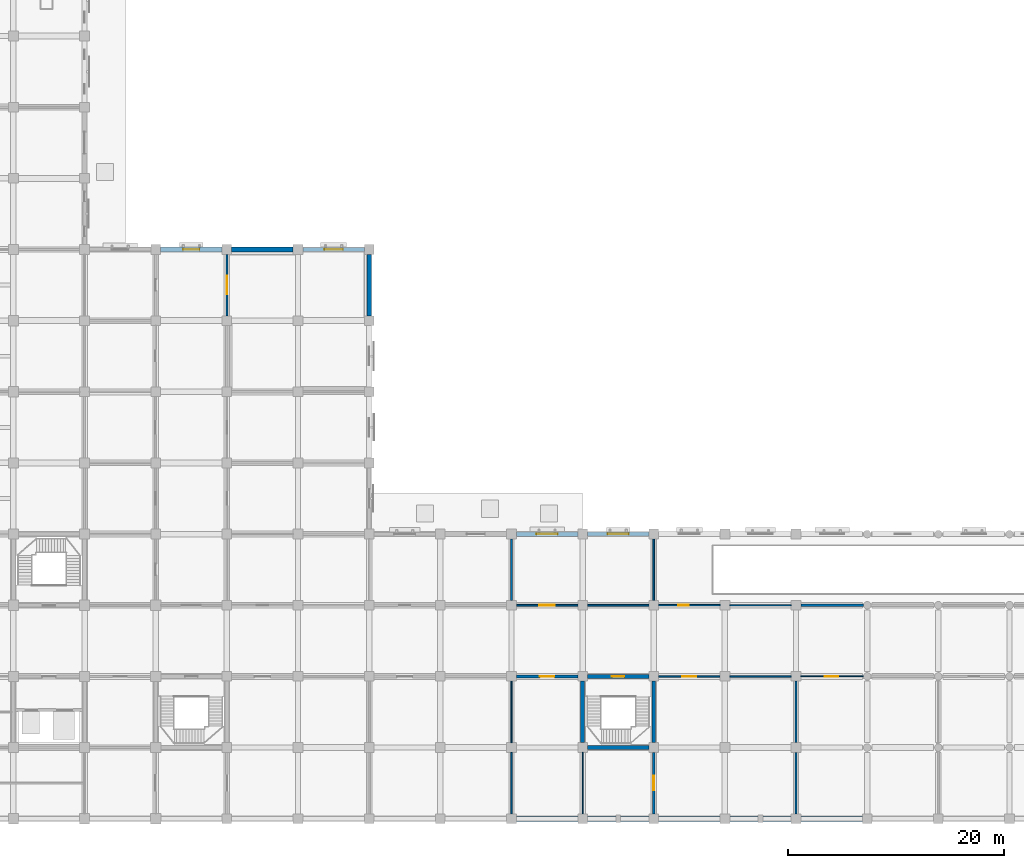
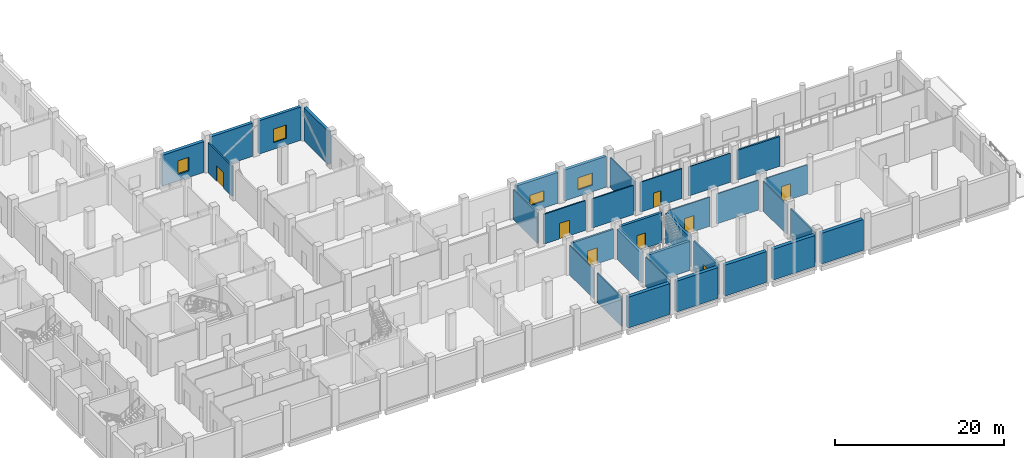
# One storey, part 12 of 28: 33 walls, 8 doors, 4 windows, 12 openings.
"""IFC4 building model written with IfcOpenShell, lengths in metres."""

from ifc_helpers import new_model, si_unit, direction, frame, frame_2d, origin, place, context, subcontext, project, spatial, rectangle, extrude, material, layer, layer_set, type_object, element, fill, save


model = new_model("IFC4")

# Units and contexts
model_context = context("Model", 3, precision=1e-05, world=origin(), true_north=direction((0.0, 1.0)))
body_context = subcontext(model_context, "Body", "Model", "MODEL_VIEW")
ifc_project = project(units=[si_unit("LENGTHUNIT", "METRE"), si_unit("AREAUNIT", "SQUARE_METRE"), si_unit("VOLUMEUNIT", "CUBIC_METRE"), si_unit("PLANEANGLEUNIT", "RADIAN"), si_unit("MASSUNIT", "GRAM", prefix="KILO")], contexts=[model_context])

# Site, building, storey
site_placement = place(None, origin())
site = spatial("IfcSite", under=ifc_project, at=site_placement, CompositionType="ELEMENT")
building_placement = place(site_placement, origin())
building = spatial("IfcBuilding", under=site, at=building_placement, Name="Rusizi Kubbe Research Institute", CompositionType="ELEMENT")
storey_placement = place(building_placement, origin())
storey = spatial("IfcBuildingStorey", under=building, at=storey_placement, Name="L00", CompositionType="ELEMENT", Elevation=0.0)

# Wall
ifc_material_1 = material(Name="Concrete C45/55", Category="concrete")
ifc_layer_1 = layer(ifc_material_1, 0.35009765625)
ifc_layer_set_1 = layer_set([ifc_layer_1], Name="Concrete C45/55")
wall_type_1 = type_object("IfcWallType", Name="CRW-01", PredefinedType="SHEAR", material=ifc_layer_set_1)
wall_1_placement = place(storey_placement, frame((73.050048828125, 6.60009765625, 0.0), z_axis=(0.0, 0.0, 1.0), x_axis=(1.0, 0.0, 0.0)))
element("IfcWall", 1, at=wall_1_placement, inside=storey, type_object=wall_type_1, Name="Stair Core Shear Wall ST7 L00 S", PredefinedType="SHEAR", context=body_context, shape_type="SweptSolid", body=[
    extrude(rectangle(XDim=5.699951171875, YDim=0.35009765625, at=frame_2d((2.85009765625, 0.0))), origin(), (0.0, 0.0, 1.0), 4.199951171875),
])

# Wall, opening, door
wall_2_placement = place(storey_placement, frame((73.050048828125, 13.199951171875, 0.0), z_axis=(0.0, 0.0, 1.0), x_axis=(1.0, 0.0, 0.0)))
wall_2 = element("IfcWall", 2, at=wall_2_placement, inside=storey, type_object=wall_type_1, Name="Stair Core Shear Wall ST7 L00 N", PredefinedType="SHEAR", context=body_context, shape_type="SweptSolid", body=[
    extrude(rectangle(XDim=5.699951171875, YDim=0.35009765625, at=frame_2d((2.85009765625, 0.0))), origin(), (0.0, 0.0, 1.0), 4.300048828125),
])
opening_1_placement = place(wall_2_placement, frame((2.27490234375, 0.0, 0.0)))
opening_1 = element("IfcOpeningElement", 3, at=opening_1_placement, cuts=wall_2, Name="Opening D-02", PredefinedType="OPENING", context=body_context, shape_type="SweptSolid", body=[
    extrude(rectangle(XDim=1.14990234375, YDim=2.199951171875, at=frame_2d((0.574951171875, 1.10009765625))), frame((0.0, 0.18505859375, 0.0), z_axis=(0.0, -1.0, 0.0), x_axis=(1.0, 0.0, 0.0)), (0.0, 0.0, 1.0), 0.3701171875),
])
ifc_material_2 = material(Name="Fire-Rated Steel Frame and Acoustic Timber Leaf", Category="wood")
door_type_1 = type_object("IfcDoorType", Name="ID-STAIR-115", OperationType="NOTDEFINED", PredefinedType="DOOR", material=ifc_material_2)
door_1_placement = place(opening_1_placement, origin())
door_1 = element("IfcDoor", 4, at=door_1_placement, inside=storey, type_object=door_type_1, Name="Exit Stair Door ST7 L00", OperationType="SINGLE_SWING_RIGHT", OverallHeight=2.199951171875, OverallWidth=1.14990234375, PredefinedType="DOOR", context=body_context, shape_type="SweptSolid", body=[
    extrude(rectangle(XDim=1.14990234375, YDim=2.199951171875, at=frame_2d((0.574951171875, 1.10009765625))), frame((0.0, 0.02490234375, 0.0), z_axis=(0.0, -1.0, 0.0), x_axis=(1.0, 0.0, 0.0)), (0.0, 0.0, 1.0), 0.050048828125),
])
fill(opening_1, door_1)

# Walls
for number, where, z_axis, x_axis, name in (
    (5, (72.60009765625, 7.050048828125, 0.0), (0.0, 0.0, 1.0), (0.0, 1.0, 0.0), "Stair Core Shear Wall ST7 L00 W"),
    (6, (79.199951171875, 7.050048828125, 0.0), (0.0, 0.0, 1.0), (0.0, 1.0, 0.0), "Stair Core Shear Wall ST7 L00 E"),
):
    element("IfcWall", number, at=place(storey_placement, frame(where, z_axis=z_axis, x_axis=x_axis)), inside=storey, type_object=wall_type_1, Name=name, PredefinedType="SHEAR", context=body_context, shape_type="SweptSolid", body=[
        extrude(rectangle(XDim=5.699951171875, YDim=0.35009765625, at=frame_2d((2.85009765625, 0.0))), origin(), (0.0, 0.0, 1.0), 4.300048828125),
    ])

# Wall, opening, window
ifc_material_3 = material(Name="Volcanic Basalt Ashlar Masonry", Category="masonry")
ifc_layer_2 = layer(ifc_material_3, 0.43994140625)
ifc_layer_set_2 = layer_set([ifc_layer_2], Name="Volcanic Basalt Ashlar Masonry")
wall_type_2 = type_object("IfcWallType", Name="EW-01", PredefinedType="SOLIDWALL", material=ifc_layer_set_2)
wall_3_placement = place(storey_placement, frame((33.449951171875, 52.800048828125, 0.0), z_axis=(0.0, 0.0, 1.0), x_axis=(1.0, 0.0, 0.0)))
wall_3 = element("IfcWall", 7, at=wall_3_placement, inside=storey, type_object=wall_type_2, Name="Ablaq Stone Exterior Wall L00 H5-8", PredefinedType="SOLIDWALL", context=body_context, shape_type="SweptSolid", body=[
    extrude(rectangle(XDim=5.699951171875, YDim=0.43994140625, at=frame_2d((2.85009765625, 0.0))), origin(), (0.0, 0.0, 1.0), 4.449951171875),
])
opening_2_placement = place(wall_3_placement, frame((2.090087890625, 0.0, 0.949951171875)))
opening_2 = element("IfcOpeningElement", 8, at=opening_2_placement, cuts=wall_3, Name="Opening WN-20", PredefinedType="OPENING", context=body_context, shape_type="SweptSolid", body=[
    extrude(rectangle(XDim=1.52001953125, YDim=1.9599609375, at=frame_2d((0.760009765625, 0.97998046875))), frame((0.0, 0.22998046875, 0.0), z_axis=(0.0, -1.0, 0.0), x_axis=(1.0, 0.0, 0.0)), (0.0, 0.0, 1.0), 0.4599609375),
])
ifc_material_4 = material(Name="Aluminium Frame and Solar-Control Double Glazing", Category="glass")
window_type_1 = type_object("IfcWindowType", Name="WN-20", PartitioningType="DOUBLE_PANEL_VERTICAL", PredefinedType="WINDOW", material=ifc_material_4)
window_1_placement = place(opening_2_placement, origin())
window_1 = element("IfcWindow", 9, at=window_1_placement, inside=storey, type_object=window_type_1, Name="Casement Window WN-20 L00", OverallHeight=1.9599609375, OverallWidth=1.52001953125, PartitioningType="DOUBLE_PANEL_VERTICAL", PredefinedType="WINDOW", context=body_context, shape_type="SweptSolid", body=[
    extrude(rectangle(XDim=1.52001953125, YDim=1.9599609375, at=frame_2d((0.760009765625, 0.97998046875))), frame((0.0, 0.030029296875, 0.0), z_axis=(0.0, -1.0, 0.0), x_axis=(1.0, 0.0, 0.0)), (0.0, 0.0, 1.0), 0.06005859375),
])
fill(opening_2, window_1)

# Wall
ifc_material_5 = material(Name="Volcanic Basalt Ashlar Masonry", Category="masonry")
ifc_layer_3 = layer(ifc_material_5, 0.419921875)
ifc_layer_set_3 = layer_set([ifc_layer_3], Name="Volcanic Basalt Ashlar Masonry")
wall_type_3 = type_object("IfcWallType", Name="EW-02", PredefinedType="SOLIDWALL", material=ifc_layer_set_3)
wall_4_placement = place(storey_placement, frame((40.050048828125, 52.800048828125, 0.0), z_axis=(0.0, 0.0, 1.0), x_axis=(1.0, 0.0, 0.0)))
element("IfcWall", 10, at=wall_4_placement, inside=storey, type_object=wall_type_3, Name="Ablaq Stone Exterior Wall L00 H6-8", PredefinedType="SOLIDWALL", context=body_context, shape_type="SweptSolid", body=[
    extrude(rectangle(XDim=5.699951171875, YDim=0.419921875, at=frame_2d((2.85009765625, 0.0))), origin(), (0.0, 0.0, 1.0), 4.800048828125),
])

# Wall, opening, window
wall_5_placement = place(storey_placement, frame((66.449951171875, 26.39990234375, 0.0), z_axis=(0.0, 0.0, 1.0), x_axis=(1.0, 0.0, 0.0)))
wall_5 = element("IfcWall", 11, at=wall_5_placement, inside=storey, type_object=wall_type_3, Name="Ablaq Stone Exterior Wall L00 H10-4", PredefinedType="SOLIDWALL", context=body_context, shape_type="SweptSolid", body=[
    extrude(rectangle(XDim=5.699951171875, YDim=0.419921875, at=frame_2d((2.85009765625, 0.0))), origin(), (0.0, 0.0, 1.0), 4.449951171875),
])
opening_3_placement = place(wall_5_placement, frame((1.8701171875, 0.0, 0.949951171875)))
opening_3 = element("IfcOpeningElement", 12, at=opening_3_placement, cuts=wall_5, Name="Opening WN-26", PredefinedType="OPENING", context=body_context, shape_type="SweptSolid", body=[
    extrude(rectangle(XDim=1.9599609375, YDim=1.52001953125, at=frame_2d((0.97998046875, 0.760009765625))), frame((0.0, 0.219970703125, 0.0), z_axis=(0.0, -1.0, 0.0), x_axis=(1.0, 0.0, 0.0)), (0.0, 0.0, 1.0), 0.43994140625),
])
ifc_material_6 = material(Name="Aluminium Frame and Solar-Control Double Glazing", Category="glass")
window_type_2 = type_object("IfcWindowType", Name="WN-26", PartitioningType="DOUBLE_PANEL_VERTICAL", PredefinedType="WINDOW", material=ifc_material_6)
window_2_placement = place(opening_3_placement, origin())
window_2 = element("IfcWindow", 13, at=window_2_placement, inside=storey, type_object=window_type_2, Name="Casement Window WN-26 L00", OverallHeight=1.52001953125, OverallWidth=1.9599609375, PartitioningType="DOUBLE_PANEL_VERTICAL", PredefinedType="WINDOW", context=body_context, shape_type="SweptSolid", body=[
    extrude(rectangle(XDim=1.9599609375, YDim=1.52001953125, at=frame_2d((0.97998046875, 0.760009765625))), frame((0.0, 0.030029296875, 0.0), z_axis=(0.0, -1.0, 0.0), x_axis=(1.0, 0.0, 0.0)), (0.0, 0.0, 1.0), 0.06005859375),
])
fill(opening_3, window_2)

ifc_material_7 = material(Name="Volcanic Basalt Ashlar Masonry", Category="masonry")
ifc_layer_4 = layer(ifc_material_7, 0.39990234375)
ifc_layer_set_4 = layer_set([ifc_layer_4], Name="Volcanic Basalt Ashlar Masonry")
wall_type_4 = type_object("IfcWallType", Name="EW-03", PredefinedType="SOLIDWALL", material=ifc_layer_set_4)
wall_6_placement = place(storey_placement, frame((46.64990234375, 52.800048828125, 0.0), z_axis=(0.0, 0.0, 1.0), x_axis=(1.0, 0.0, 0.0)))
wall_6 = element("IfcWall", 14, at=wall_6_placement, inside=storey, type_object=wall_type_4, Name="Ablaq Stone Exterior Wall L00 H7-8", PredefinedType="SOLIDWALL", context=body_context, shape_type="SweptSolid", body=[
    extrude(rectangle(XDim=5.7001953125, YDim=0.39990234375, at=frame_2d((2.85009765625, 0.0))), origin(), (0.0, 0.0, 1.0), 4.800048828125),
])
opening_4_placement = place(wall_6_placement, frame((1.989990234375, 0.0, 0.949951171875)))
opening_4 = element("IfcOpeningElement", 15, at=opening_4_placement, cuts=wall_6, Name="Opening WN-24", PredefinedType="OPENING", context=body_context, shape_type="SweptSolid", body=[
    extrude(rectangle(XDim=1.719970703125, YDim=1.9599609375, at=frame_2d((0.85986328125, 0.97998046875))), frame((0.0, 0.2099609375, 0.0), z_axis=(0.0, -1.0, 0.0), x_axis=(1.0, 0.0, 0.0)), (0.0, 0.0, 1.0), 0.419921875),
])
ifc_material_8 = material(Name="Aluminium Frame and Solar-Control Double Glazing", Category="glass")
window_type_3 = type_object("IfcWindowType", Name="WN-24", PartitioningType="DOUBLE_PANEL_VERTICAL", PredefinedType="WINDOW", material=ifc_material_8)
window_3_placement = place(opening_4_placement, origin())
window_3 = element("IfcWindow", 16, at=window_3_placement, inside=storey, type_object=window_type_3, Name="Casement Window WN-24 L00", OverallHeight=1.9599609375, OverallWidth=1.719970703125, PartitioningType="DOUBLE_PANEL_VERTICAL", PredefinedType="WINDOW", context=body_context, shape_type="SweptSolid", body=[
    extrude(rectangle(XDim=1.719970703125, YDim=1.9599609375, at=frame_2d((0.85986328125, 0.97998046875))), frame((0.0, 0.030029296875, 0.0), z_axis=(0.0, -1.0, 0.0), x_axis=(1.0, 0.0, 0.0)), (0.0, 0.0, 1.0), 0.06005859375),
])
fill(opening_4, window_3)

# Wall
wall_7_placement = place(storey_placement, frame((52.800048828125, 46.64990234375, 0.0), z_axis=(0.0, 0.0, 1.0), x_axis=(0.0, 1.0, 0.0)))
element("IfcWall", 17, at=wall_7_placement, inside=storey, type_object=wall_type_4, Name="Ablaq Stone Exterior Wall L00 V8-7", PredefinedType="SOLIDWALL", context=body_context, shape_type="SweptSolid", body=[
    extrude(rectangle(XDim=5.7001953125, YDim=0.39990234375, at=frame_2d((2.85009765625, 0.0))), origin(), (0.0, 0.0, 1.0), 4.800048828125),
])

# Wall, opening, window
wall_8_placement = place(storey_placement, frame((73.050048828125, 26.39990234375, 0.0), z_axis=(0.0, 0.0, 1.0), x_axis=(1.0, 0.0, 0.0)))
wall_8 = element("IfcWall", 18, at=wall_8_placement, inside=storey, type_object=wall_type_4, Name="Ablaq Stone Exterior Wall L00 H11-4", PredefinedType="SOLIDWALL", context=body_context, shape_type="SweptSolid", body=[
    extrude(rectangle(XDim=5.699951171875, YDim=0.39990234375, at=frame_2d((2.85009765625, 0.0))), origin(), (0.0, 0.0, 1.0), 4.449951171875),
])
opening_5_placement = place(wall_8_placement, frame((1.8701171875, 0.0, 0.949951171875)))
opening_5 = element("IfcOpeningElement", 19, at=opening_5_placement, cuts=wall_8, Name="Opening WN-27", PredefinedType="OPENING", context=body_context, shape_type="SweptSolid", body=[
    extrude(rectangle(XDim=1.9599609375, YDim=1.739990234375, at=frame_2d((0.97998046875, 0.8701171875))), frame((0.0, 0.2099609375, 0.0), z_axis=(0.0, -1.0, 0.0), x_axis=(1.0, 0.0, 0.0)), (0.0, 0.0, 1.0), 0.419921875),
])
ifc_material_9 = material(Name="Aluminium Frame and Solar-Control Double Glazing", Category="glass")
window_type_4 = type_object("IfcWindowType", Name="WN-27", PartitioningType="DOUBLE_PANEL_VERTICAL", PredefinedType="WINDOW", material=ifc_material_9)
window_4_placement = place(opening_5_placement, origin())
window_4 = element("IfcWindow", 20, at=window_4_placement, inside=storey, type_object=window_type_4, Name="Casement Window WN-27 L00", OverallHeight=1.739990234375, OverallWidth=1.9599609375, PartitioningType="DOUBLE_PANEL_VERTICAL", PredefinedType="WINDOW", context=body_context, shape_type="SweptSolid", body=[
    extrude(rectangle(XDim=1.9599609375, YDim=1.739990234375, at=frame_2d((0.97998046875, 0.8701171875))), frame((0.0, 0.030029296875, 0.0), z_axis=(0.0, -1.0, 0.0), x_axis=(1.0, 0.0, 0.0)), (0.0, 0.0, 1.0), 0.06005859375),
])
fill(opening_5, window_4)

# Wall, opening, door
ifc_material_10 = material(Name="Concrete Blockwork Fire Partition", Category="masonry")
ifc_layer_5 = layer(ifc_material_10, 0.22509765625)
ifc_layer_set_5 = layer_set([ifc_layer_5], Name="Concrete Blockwork Fire Partition")
wall_type_5 = type_object("IfcWallType", Name="IW-01", PredefinedType="PARTITIONING", material=ifc_layer_set_5)
wall_9_placement = place(storey_placement, frame((79.199951171875, 0.449951171875, 0.0), z_axis=(0.0, 0.0, 1.0), x_axis=(0.0, 1.0, 0.0)))
wall_9 = element("IfcWall", 21, at=wall_9_placement, inside=storey, type_object=wall_type_5, Name="Interior Partition Wall L00 V12-0", PredefinedType="PARTITIONING", context=body_context, shape_type="SweptSolid", body=[
    extrude(rectangle(XDim=5.699951171875, YDim=0.22509765625, at=frame_2d((2.85009765625, 0.0))), origin(), (0.0, 0.0, 1.0), 4.300048828125),
])
opening_6_placement = place(wall_9_placement, frame((2.175048828125, 0.0, 0.0)))
opening_6 = element("IfcOpeningElement", 22, at=opening_6_placement, cuts=wall_9, Name="Opening D-13", PredefinedType="OPENING", context=body_context, shape_type="SweptSolid", body=[
    extrude(rectangle(XDim=1.35009765625, YDim=2.300048828125, at=frame_2d((0.675048828125, 1.14990234375))), frame((0.0, 0.12255859375, 0.0), z_axis=(0.0, -1.0, 0.0), x_axis=(1.0, 0.0, 0.0)), (0.0, 0.0, 1.0), 0.2451171875),
])
ifc_material_11 = material(Name="Fire-Rated Steel Frame and Acoustic Timber Leaf", Category="wood")
door_type_2 = type_object("IfcDoorType", Name="ID-LAB-135", OperationType="NOTDEFINED", PredefinedType="DOOR", material=ifc_material_11)
door_2_placement = place(opening_6_placement, origin())
door_2 = element("IfcDoor", 23, at=door_2_placement, inside=storey, type_object=door_type_2, Name="Door to Laboratory Instrument Support Room (L00-EWU-11)", OperationType="SINGLE_SWING_LEFT", OverallHeight=2.300048828125, OverallWidth=1.35009765625, PredefinedType="DOOR", context=body_context, shape_type="SweptSolid", body=[
    extrude(rectangle(XDim=1.35009765625, YDim=2.300048828125, at=frame_2d((0.675048828125, 1.14990234375))), frame((0.0, 0.02490234375, 0.0), z_axis=(0.0, -1.0, 0.0), x_axis=(1.0, 0.0, 0.0)), (0.0, 0.0, 1.0), 0.050048828125),
])
fill(opening_6, door_2)

# Wall
wall_10_placement = place(storey_placement, frame((92.85009765625, 19.800048828125, 0.0), z_axis=(0.0, 0.0, 1.0), x_axis=(1.0, 0.0, 0.0)))
element("IfcWall", 24, at=wall_10_placement, inside=storey, type_object=wall_type_5, Name="Interior Partition Wall L00 H14-3", PredefinedType="PARTITIONING", context=body_context, shape_type="SweptSolid", body=[
    extrude(rectangle(XDim=5.7998046875, YDim=0.22509765625, at=frame_2d((2.89990234375, 0.0))), origin(), (0.0, 0.0, 1.0), 4.300048828125),
])

# Wall, opening, door
ifc_material_12 = material(Name="Insulated Cleanroom Partition", Category="masonry")
ifc_layer_6 = layer(ifc_material_12, 0.195068359375)
ifc_layer_set_6 = layer_set([ifc_layer_6], Name="Insulated Cleanroom Partition")
wall_type_6 = type_object("IfcWallType", Name="IW-02", PredefinedType="PARTITIONING", material=ifc_layer_set_6)
wall_11_placement = place(storey_placement, frame((39.60009765625, 46.64990234375, 0.0), z_axis=(0.0, 0.0, 1.0), x_axis=(0.0, 1.0, 0.0)))
wall_11 = element("IfcWall", 25, at=wall_11_placement, inside=storey, type_object=wall_type_6, Name="Interior Partition Wall L00 V6-7", PredefinedType="PARTITIONING", context=body_context, shape_type="SweptSolid", body=[
    extrude(rectangle(XDim=5.7001953125, YDim=0.195068359375, at=frame_2d((2.85009765625, 0.0))), origin(), (0.0, 0.0, 1.0), 4.300048828125),
])
opening_7_placement = place(wall_11_placement, frame((2.0, 0.0, 0.0)))
opening_7 = element("IfcOpeningElement", 26, at=opening_7_placement, cuts=wall_11, Name="Opening D-09", PredefinedType="OPENING", context=body_context, shape_type="SweptSolid", body=[
    extrude(rectangle(XDim=1.699951171875, YDim=2.25, at=frame_2d((0.85009765625, 1.125))), frame((0.0, 0.107421875, 0.0), z_axis=(0.0, -1.0, 0.0), x_axis=(1.0, 0.0, 0.0)), (0.0, 0.0, 1.0), 0.215087890625),
])
ifc_material_13 = material(Name="Fire-Rated Steel Frame and Acoustic Timber Leaf", Category="wood")
door_type_3 = type_object("IfcDoorType", Name="ID-DBL-170", OperationType="DOUBLE_DOOR_SINGLE_SWING", PredefinedType="DOOR", material=ifc_material_13)
door_3_placement = place(opening_7_placement, origin())
door_3 = element("IfcDoor", 27, at=door_3_placement, inside=storey, type_object=door_type_3, Name="Door to Interaction Atrium (L00-ATR-01)", OperationType="DOUBLE_DOOR_SINGLE_SWING", OverallHeight=2.25, OverallWidth=1.699951171875, PredefinedType="DOOR", context=body_context, shape_type="SweptSolid", body=[
    extrude(rectangle(XDim=1.699951171875, YDim=2.25, at=frame_2d((0.85009765625, 1.125))), frame((0.0, 0.02490234375, 0.0), z_axis=(0.0, -1.0, 0.0), x_axis=(1.0, 0.0, 0.0)), (0.0, 0.0, 1.0), 0.050048828125),
])
fill(opening_7, door_3)

# Wall
wall_12_placement = place(storey_placement, frame((66.0, 20.25, 0.0), z_axis=(0.0, 0.0, 1.0), x_axis=(0.0, 1.0, 0.0)))
element("IfcWall", 28, at=wall_12_placement, inside=storey, type_object=wall_type_6, Name="Interior Partition Wall L00 V10-3", PredefinedType="PARTITIONING", context=body_context, shape_type="SweptSolid", body=[
    extrude(rectangle(XDim=5.699951171875, YDim=0.195068359375, at=frame_2d((2.85009765625, 0.0))), origin(), (0.0, 0.0, 1.0), 4.300048828125),
])

# Wall, opening, door
ifc_material_14 = material(Name="Acoustic Laboratory Partition", Category="masonry")
ifc_layer_7 = layer(ifc_material_14, 0.175048828125)
ifc_layer_set_7 = layer_set([ifc_layer_7], Name="Acoustic Laboratory Partition")
wall_type_7 = type_object("IfcWallType", Name="IW-03", PredefinedType="PARTITIONING", material=ifc_layer_set_7)
wall_13_placement = place(storey_placement, frame((66.449951171875, 19.800048828125, 0.0), z_axis=(0.0, 0.0, 1.0), x_axis=(1.0, 0.0, 0.0)))
wall_13 = element("IfcWall", 29, at=wall_13_placement, inside=storey, type_object=wall_type_7, Name="Interior Partition Wall L00 H10-3", PredefinedType="PARTITIONING", context=body_context, shape_type="SweptSolid", body=[
    extrude(rectangle(XDim=5.699951171875, YDim=0.175048828125, at=frame_2d((2.85009765625, 0.0))), origin(), (0.0, 0.0, 1.0), 4.300048828125),
])
opening_8_placement = place(wall_13_placement, frame((2.14990234375, 0.0, 0.0)))
opening_8 = element("IfcOpeningElement", 30, at=opening_8_placement, cuts=wall_13, Name="Opening D-12", PredefinedType="OPENING", context=body_context, shape_type="SweptSolid", body=[
    extrude(rectangle(XDim=1.39990234375, YDim=2.25, at=frame_2d((0.699951171875, 1.125))), frame((0.0, 0.097412109375, 0.0), z_axis=(0.0, -1.0, 0.0), x_axis=(1.0, 0.0, 0.0)), (0.0, 0.0, 1.0), 0.195068359375),
])
ifc_material_15 = material(Name="Fire-Rated Steel Frame and Acoustic Timber Leaf", Category="wood")
door_type_4 = type_object("IfcDoorType", Name="ID-LAB-140", OperationType="NOTDEFINED", PredefinedType="DOOR", material=ifc_material_15)
door_4_placement = place(opening_8_placement, origin())
door_4 = element("IfcDoor", 31, at=door_4_placement, inside=storey, type_object=door_type_4, Name="Door to Molecular Diagnostics Laboratory (L00-EWN-02)", OperationType="SINGLE_SWING_RIGHT", OverallHeight=2.25, OverallWidth=1.39990234375, PredefinedType="DOOR", context=body_context, shape_type="SweptSolid", body=[
    extrude(rectangle(XDim=1.39990234375, YDim=2.25, at=frame_2d((0.699951171875, 1.125))), frame((0.0, 0.02490234375, 0.0), z_axis=(0.0, -1.0, 0.0), x_axis=(1.0, 0.0, 0.0)), (0.0, 0.0, 1.0), 0.050048828125),
])
fill(opening_8, door_4)

# Walls
wall_14_placement = place(storey_placement, frame((92.39990234375, 0.449951171875, 0.0), z_axis=(0.0, 0.0, 1.0), x_axis=(0.0, 1.0, 0.0)))
element("IfcWall", 32, at=wall_14_placement, inside=storey, type_object=wall_type_7, Name="Interior Partition Wall L00 V14-0", PredefinedType="PARTITIONING", context=body_context, shape_type="SweptSolid", body=[
    extrude(rectangle(XDim=5.699951171875, YDim=0.175048828125, at=frame_2d((2.85009765625, 0.0))), origin(), (0.0, 0.0, 1.0), 4.300048828125),
])
ifc_material_16 = material(Name="Fire-Rated Corridor Partition", Category="masonry")
ifc_layer_8 = layer(ifc_material_16, 0.155029296875)
ifc_layer_set_8 = layer_set([ifc_layer_8], Name="Fire-Rated Corridor Partition")
wall_type_8 = type_object("IfcWallType", Name="IW-04", PredefinedType="PARTITIONING", material=ifc_layer_set_8)
wall_15_placement = place(storey_placement, frame((73.050048828125, 19.800048828125, 0.0), z_axis=(0.0, 0.0, 1.0), x_axis=(1.0, 0.0, 0.0)))
element("IfcWall", 33, at=wall_15_placement, inside=storey, type_object=wall_type_8, Name="Interior Partition Wall L00 H11-3", PredefinedType="PARTITIONING", context=body_context, shape_type="SweptSolid", body=[
    extrude(rectangle(XDim=5.699951171875, YDim=0.155029296875, at=frame_2d((2.85009765625, 0.0))), origin(), (0.0, 0.0, 1.0), 4.199951171875),
])
wall_16_placement = place(storey_placement, frame((79.199951171875, 20.25, 0.0), z_axis=(0.0, 0.0, 1.0), x_axis=(0.0, 1.0, 0.0)))
element("IfcWall", 34, at=wall_16_placement, inside=storey, type_object=wall_type_8, Name="Interior Partition Wall L00 V12-3", PredefinedType="PARTITIONING", context=body_context, shape_type="SweptSolid", body=[
    extrude(rectangle(XDim=5.699951171875, YDim=0.155029296875, at=frame_2d((2.85009765625, 0.0))), origin(), (0.0, 0.0, 1.0), 4.300048828125),
])

# Wall, opening, door
wall_17_placement = place(storey_placement, frame((79.64990234375, 13.199951171875, 0.0), z_axis=(0.0, 0.0, 1.0), x_axis=(1.0, 0.0, 0.0)))
wall_17 = element("IfcWall", 35, at=wall_17_placement, inside=storey, type_object=wall_type_8, Name="Interior Partition Wall L00 H12-2", PredefinedType="PARTITIONING", context=body_context, shape_type="SweptSolid", body=[
    extrude(rectangle(XDim=5.7001953125, YDim=0.155029296875, at=frame_2d((2.85009765625, 0.0))), origin(), (0.0, 0.0, 1.0), 4.199951171875),
])
opening_9_placement = place(wall_17_placement, frame((2.199951171875, 0.0, 0.0)))
opening_9 = element("IfcOpeningElement", 36, at=opening_9_placement, cuts=wall_17, Name="Opening D-14", PredefinedType="OPENING", context=body_context, shape_type="SweptSolid", body=[
    extrude(rectangle(XDim=1.300048828125, YDim=2.300048828125, at=frame_2d((0.64990234375, 1.14990234375))), frame((0.0, 0.08740234375, 0.0), z_axis=(0.0, -1.0, 0.0), x_axis=(1.0, 0.0, 0.0)), (0.0, 0.0, 1.0), 0.175048828125),
])
ifc_material_17 = material(Name="Fire-Rated Steel Frame and Acoustic Timber Leaf", Category="wood")
door_type_5 = type_object("IfcDoorType", Name="ID-LAB-130", OperationType="NOTDEFINED", PredefinedType="DOOR", material=ifc_material_17)
door_5_placement = place(opening_9_placement, origin())
door_5 = element("IfcDoor", 37, at=door_5_placement, inside=storey, type_object=door_type_5, Name="Door to Clean Room Process Suite (L00-EWS-04)", OperationType="SINGLE_SWING_RIGHT", OverallHeight=2.300048828125, OverallWidth=1.300048828125, PredefinedType="DOOR", context=body_context, shape_type="SweptSolid", body=[
    extrude(rectangle(XDim=1.300048828125, YDim=2.300048828125, at=frame_2d((0.64990234375, 1.14990234375))), frame((0.0, 0.02490234375, 0.0), z_axis=(0.0, -1.0, 0.0), x_axis=(1.0, 0.0, 0.0)), (0.0, 0.0, 1.0), 0.050048828125),
])
fill(opening_9, door_5)

# Walls
wall_18_placement = place(storey_placement, frame((92.39990234375, 7.050048828125, 0.0), z_axis=(0.0, 0.0, 1.0), x_axis=(0.0, 1.0, 0.0)))
element("IfcWall", 38, at=wall_18_placement, inside=storey, type_object=wall_type_8, Name="Interior Partition Wall L00 V14-1", PredefinedType="PARTITIONING", context=body_context, shape_type="SweptSolid", body=[
    extrude(rectangle(XDim=5.699951171875, YDim=0.155029296875, at=frame_2d((2.85009765625, 0.0))), origin(), (0.0, 0.0, 1.0), 4.300048828125),
])
ifc_material_18 = material(Name="Write-up Glazed Acoustic Partition", Category="masonry")
ifc_layer_9 = layer(ifc_material_18, 0.139892578125)
ifc_layer_set_9 = layer_set([ifc_layer_9], Name="Write-up Glazed Acoustic Partition")
wall_type_9 = type_object("IfcWallType", Name="IW-05", PredefinedType="PARTITIONING", material=ifc_layer_set_9)
wall_19_placement = place(storey_placement, frame((66.0, 0.449951171875, 0.0), z_axis=(0.0, 0.0, 1.0), x_axis=(0.0, 1.0, 0.0)))
element("IfcWall", 39, at=wall_19_placement, inside=storey, type_object=wall_type_9, Name="Interior Partition Wall L00 V10-0", PredefinedType="PARTITIONING", context=body_context, shape_type="SweptSolid", body=[
    extrude(rectangle(XDim=5.699951171875, YDim=0.139892578125, at=frame_2d((2.85009765625, 0.0))), origin(), (0.0, 0.0, 1.0), 4.300048828125),
])

# Wall, opening, door
wall_20_placement = place(storey_placement, frame((79.64990234375, 19.800048828125, 0.0), z_axis=(0.0, 0.0, 1.0), x_axis=(1.0, 0.0, 0.0)))
wall_20 = element("IfcWall", 40, at=wall_20_placement, inside=storey, type_object=wall_type_9, Name="Interior Partition Wall L00 H12-3", PredefinedType="PARTITIONING", context=body_context, shape_type="SweptSolid", body=[
    extrude(rectangle(XDim=5.7001953125, YDim=0.139892578125, at=frame_2d((2.85009765625, 0.0))), origin(), (0.0, 0.0, 1.0), 4.300048828125),
])
opening_10_placement = place(wall_20_placement, frame((1.800048828125, 0.0, 0.0)))
opening_10 = element("IfcOpeningElement", 41, at=opening_10_placement, cuts=wall_20, Name="Opening D-04", PredefinedType="OPENING", context=body_context, shape_type="SweptSolid", body=[
    extrude(rectangle(XDim=1.0, YDim=2.10009765625, at=frame_2d((0.5, 1.050048828125))), frame((0.0, 0.079833984375, 0.0), z_axis=(0.0, -1.0, 0.0), x_axis=(1.0, 0.0, 0.0)), (0.0, 0.0, 1.0), 0.159912109375),
])
ifc_material_19 = material(Name="Fire-Rated Steel Frame and Acoustic Timber Leaf", Category="wood")
door_type_6 = type_object("IfcDoorType", Name="ID-MEP-100", OperationType="NOTDEFINED", PredefinedType="DOOR", material=ifc_material_19)
door_6_placement = place(opening_10_placement, origin())
door_6 = element("IfcDoor", 42, at=door_6_placement, inside=storey, type_object=door_type_6, Name="Door to Ramp Ventilation and Shutter Control Room (L00-VRCTRL-01)", OperationType="SINGLE_SWING_RIGHT", OverallHeight=2.10009765625, OverallWidth=1.0, PredefinedType="DOOR", context=body_context, shape_type="SweptSolid", body=[
    extrude(rectangle(XDim=1.0, YDim=2.10009765625, at=frame_2d((0.5, 1.050048828125))), frame((0.0, 0.02490234375, 0.0), z_axis=(0.0, -1.0, 0.0), x_axis=(1.0, 0.0, 0.0)), (0.0, 0.0, 1.0), 0.050048828125),
])
fill(opening_10, door_6)

# Walls
wall_21_placement = place(storey_placement, frame((86.25, 13.199951171875, 0.0), z_axis=(0.0, 0.0, 1.0), x_axis=(1.0, 0.0, 0.0)))
element("IfcWall", 43, at=wall_21_placement, inside=storey, type_object=wall_type_9, Name="Interior Partition Wall L00 H13-2", PredefinedType="PARTITIONING", context=body_context, shape_type="SweptSolid", body=[
    extrude(rectangle(XDim=5.699951171875, YDim=0.139892578125, at=frame_2d((2.85009765625, 0.0))), origin(), (0.0, 0.0, 1.0), 4.300048828125),
])
ifc_material_20 = material(Name="Sub-Suite Fire Partition", Category="masonry")
ifc_layer_10 = layer(ifc_material_20, 0.110107421875)
ifc_layer_set_10 = layer_set([ifc_layer_10], Name="Sub-Suite Fire Partition")
wall_type_10 = type_object("IfcWallType", Name="IW-07", PredefinedType="PARTITIONING", material=ifc_layer_set_10)
for number, where, z_axis, x_axis, name in (
    (44, (66.0, 7.050048828125, 0.0), (0.0, 0.0, 1.0), (0.0, 1.0, 0.0), "Interior Partition Wall L00 V10-1"),
    (45, (72.60009765625, 0.449951171875, 0.0), (0.0, 0.0, 1.0), (0.0, 1.0, 0.0), "Interior Partition Wall L00 V11-0"),
):
    element("IfcWall", number, at=place(storey_placement, frame(where, z_axis=z_axis, x_axis=x_axis)), inside=storey, type_object=wall_type_10, Name=name, PredefinedType="PARTITIONING", context=body_context, shape_type="SweptSolid", body=[
        extrude(rectangle(XDim=5.699951171875, YDim=0.110107421875, at=frame_2d((2.85009765625, 0.0))), origin(), (0.0, 0.0, 1.0), 4.300048828125),
    ])
wall_22_placement = place(storey_placement, frame((86.25, 19.800048828125, 0.0), z_axis=(0.0, 0.0, 1.0), x_axis=(1.0, 0.0, 0.0)))
element("IfcWall", 46, at=wall_22_placement, inside=storey, type_object=wall_type_10, Name="Interior Partition Wall L00 H13-3", PredefinedType="PARTITIONING", context=body_context, shape_type="SweptSolid", body=[
    extrude(rectangle(XDim=5.699951171875, YDim=0.110107421875, at=frame_2d((2.85009765625, 0.0))), origin(), (0.0, 0.0, 1.0), 4.199951171875),
])

# Wall, opening, door
wall_23_placement = place(storey_placement, frame((92.85009765625, 13.199951171875, 0.0), z_axis=(0.0, 0.0, 1.0), x_axis=(1.0, 0.0, 0.0)))
wall_23 = element("IfcWall", 47, at=wall_23_placement, inside=storey, type_object=wall_type_10, Name="Interior Partition Wall L00 H14-2", PredefinedType="PARTITIONING", context=body_context, shape_type="SweptSolid", body=[
    extrude(rectangle(XDim=5.7998046875, YDim=0.110107421875, at=frame_2d((2.89990234375, 0.0))), origin(), (0.0, 0.0, 1.0), 4.199951171875),
])
opening_11_placement = place(wall_23_placement, frame((2.22509765625, 0.0, 0.0)))
opening_11 = element("IfcOpeningElement", 48, at=opening_11_placement, cuts=wall_23, Name="Opening D-15", PredefinedType="OPENING", context=body_context, shape_type="SweptSolid", body=[
    extrude(rectangle(XDim=1.25, YDim=2.25, at=frame_2d((0.625, 1.125))), frame((0.0, 0.06494140625, 0.0), z_axis=(0.0, -1.0, 0.0), x_axis=(1.0, 0.0, 0.0)), (0.0, 0.0, 1.0), 0.130126953125),
])
ifc_material_21 = material(Name="Fire-Rated Steel Frame and Acoustic Timber Leaf", Category="wood")
door_type_7 = type_object("IfcDoorType", Name="ID-LAB-125", OperationType="NOTDEFINED", PredefinedType="DOOR", material=ifc_material_21)
door_7_placement = place(opening_11_placement, origin())
door_7 = element("IfcDoor", 49, at=door_7_placement, inside=storey, type_object=door_type_7, Name="Door to Catalysis Wet Laboratory (L00-EWS-05)", OperationType="SINGLE_SWING_LEFT", OverallHeight=2.25, OverallWidth=1.25, PredefinedType="DOOR", context=body_context, shape_type="SweptSolid", body=[
    extrude(rectangle(XDim=1.25, YDim=2.25, at=frame_2d((0.625, 1.125))), frame((0.0, 0.02490234375, 0.0), z_axis=(0.0, -1.0, 0.0), x_axis=(1.0, 0.0, 0.0)), (0.0, 0.0, 1.0), 0.050048828125),
])
fill(opening_11, door_7)

# Walls
ifc_material_22 = material(Name="Concrete C40/50", Category="concrete")
ifc_layer_11 = layer(ifc_material_22, 0.47998046875)
ifc_layer_set_11 = layer_set([ifc_layer_11], Name="Concrete C40/50")
wall_type_11 = type_object("IfcWallType", Name="PW-01", PredefinedType="SOLIDWALL", material=ifc_layer_set_11)
for number, where, z_axis, x_axis, name in (
    (50, (66.449951171875, 0.0, 0.0), (0.0, 0.0, 1.0), (1.0, 0.0, 0.0), "Blind Party Wall L00 H10-0"),
    (51, (73.050048828125, 0.0, 0.0), (0.0, 0.0, 1.0), (1.0, 0.0, 0.0), "Blind Party Wall L00 H11-0"),
):
    element("IfcWall", number, at=place(storey_placement, frame(where, z_axis=z_axis, x_axis=x_axis)), inside=storey, type_object=wall_type_11, Name=name, PredefinedType="SOLIDWALL", context=body_context, shape_type="SweptSolid", body=[
        extrude(rectangle(XDim=5.699951171875, YDim=0.47998046875, at=frame_2d((2.85009765625, 0.0))), origin(), (0.0, 0.0, 1.0), 4.449951171875),
    ])
wall_24_placement = place(storey_placement, frame((79.64990234375, 0.0, 0.0), z_axis=(0.0, 0.0, 1.0), x_axis=(1.0, 0.0, 0.0)))
element("IfcWall", 52, at=wall_24_placement, inside=storey, type_object=wall_type_11, Name="Blind Party Wall L00 H12-0", PredefinedType="SOLIDWALL", context=body_context, shape_type="SweptSolid", body=[
    extrude(rectangle(XDim=5.7001953125, YDim=0.47998046875, at=frame_2d((2.85009765625, 0.0))), origin(), (0.0, 0.0, 1.0), 4.449951171875),
])
for number, where, z_axis, x_axis, name in (
    (53, (86.25, 0.0, 0.0), (0.0, 0.0, 1.0), (1.0, 0.0, 0.0), "Blind Party Wall L00 H13-0"),
    (54, (92.85009765625, 0.0, 0.0), (0.0, 0.0, 1.0), (1.0, 0.0, 0.0), "Blind Party Wall L00 H14-0"),
):
    element("IfcWall", number, at=place(storey_placement, frame(where, z_axis=z_axis, x_axis=x_axis)), inside=storey, type_object=wall_type_11, Name=name, PredefinedType="SOLIDWALL", context=body_context, shape_type="SweptSolid", body=[
        extrude(rectangle(XDim=5.699951171875, YDim=0.47998046875, at=frame_2d((2.85009765625, 0.0))), origin(), (0.0, 0.0, 1.0), 4.449951171875),
    ])

# Wall, opening, door
ifc_material_23 = material(Name="Concrete C40/50", Category="concrete")
ifc_layer_12 = layer(ifc_material_23, 0.2548828125)
ifc_layer_set_12 = layer_set([ifc_layer_12], Name="Concrete C40/50")
wall_type_12 = type_object("IfcWallType", Name="SHW-02", PredefinedType="SHEAR", material=ifc_layer_set_12)
wall_25_placement = place(storey_placement, frame((66.449951171875, 13.199951171875, 0.0), z_axis=(0.0, 0.0, 1.0), x_axis=(1.0, 0.0, 0.0)))
wall_25 = element("IfcWall", 55, at=wall_25_placement, inside=storey, type_object=wall_type_12, Name="Interior Partition Wall L00 H10-2", PredefinedType="SHEAR", context=body_context, shape_type="SweptSolid", body=[
    extrude(rectangle(XDim=5.699951171875, YDim=0.2548828125, at=frame_2d((2.85009765625, 0.0))), origin(), (0.0, 0.0, 1.0), 4.199951171875),
])
opening_12_placement = place(wall_25_placement, frame((2.175048828125, 0.0, 0.0)))
opening_12 = element("IfcOpeningElement", 56, at=opening_12_placement, cuts=wall_25, Name="Opening D-13", PredefinedType="OPENING", context=body_context, shape_type="SweptSolid", body=[
    extrude(rectangle(XDim=1.35009765625, YDim=2.300048828125, at=frame_2d((0.675048828125, 1.14990234375))), frame((0.0, 0.137451171875, 0.0), z_axis=(0.0, -1.0, 0.0), x_axis=(1.0, 0.0, 0.0)), (0.0, 0.0, 1.0), 0.27490234375),
])
door_8_placement = place(opening_12_placement, origin())
door_8 = element("IfcDoor", 57, at=door_8_placement, inside=storey, type_object=door_type_2, Name="Door to Catalysis Wet Laboratory (L00-EWS-03)", OperationType="SINGLE_SWING_LEFT", OverallHeight=2.300048828125, OverallWidth=1.35009765625, PredefinedType="DOOR", context=body_context, shape_type="SweptSolid", body=[
    extrude(rectangle(XDim=1.35009765625, YDim=2.300048828125, at=frame_2d((0.675048828125, 1.14990234375))), frame((0.0, 0.02490234375, 0.0), z_axis=(0.0, -1.0, 0.0), x_axis=(1.0, 0.0, 0.0)), (0.0, 0.0, 1.0), 0.050048828125),
])
fill(opening_12, door_8)

save(model, "model.ifc")
